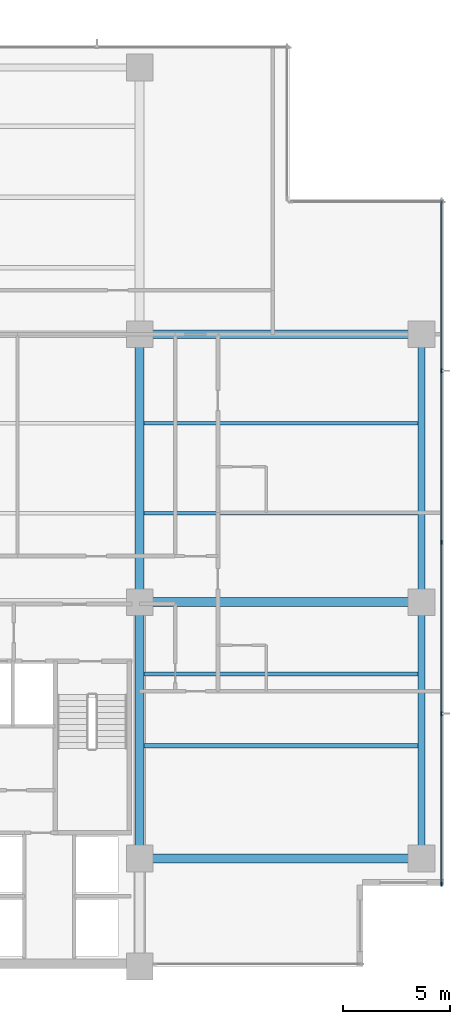
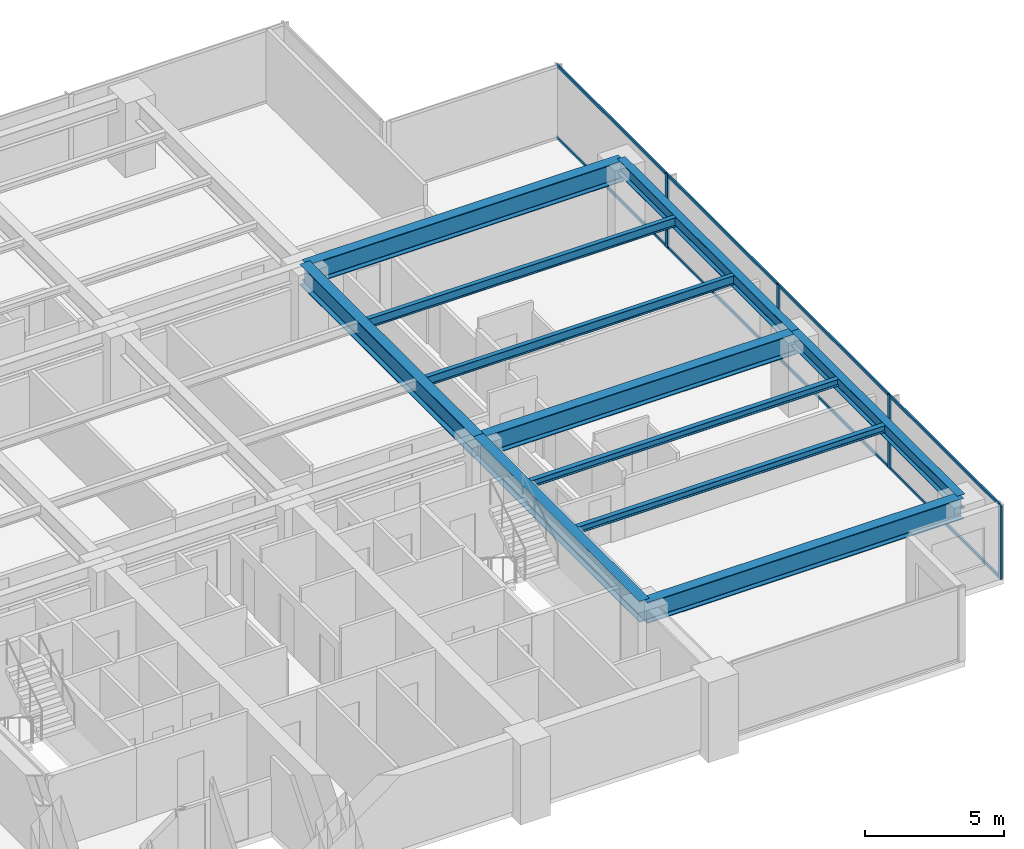
# One storey, part 4 of 16: 12 members, 11 beams, 1 element without a shape of its own.
"""IFC4 building model written with IfcOpenShell, lengths in metres."""

from ifc_helpers import new_model, si_unit, direction, frame, origin, origin_2d, place, context, subcontext, project, spatial, rectangle, i_section, extrude, material, layer, layer_set, material_profile, profile_set, type_object, element, aggregate, save


model = new_model("IFC4")

# Units and contexts
model_context = context("Model", 3, precision=1e-05, world=origin(), true_north=direction((0.0, 1.0)))
body_context = subcontext(model_context, "Body", "Model", "MODEL_VIEW")
ifc_project = project(units=[si_unit("LENGTHUNIT", "METRE"), si_unit("AREAUNIT", "SQUARE_METRE"), si_unit("VOLUMEUNIT", "CUBIC_METRE"), si_unit("PLANEANGLEUNIT", "RADIAN"), si_unit("MASSUNIT", "GRAM", prefix="KILO")], contexts=[model_context])

# Site, building, storey
site_placement = place(None, origin())
site = spatial("IfcSite", under=ifc_project, at=site_placement, CompositionType="ELEMENT")
building_placement = place(site_placement, origin())
building = spatial("IfcBuilding", under=site, at=building_placement, Name="Qalmaran Belvedere Hotel", CompositionType="ELEMENT")
storey_placement = place(building_placement, frame((0.0, 0.0, 123.199951171875)))
storey = spatial("IfcBuildingStorey", under=building, at=storey_placement, Name="L31", CompositionType="ELEMENT", Elevation=123.199951171875)

# Beams
ifc_material_1 = material(Name="Steel S355JR", Category="steel")
ifc_material_profile_1 = material_profile(ifc_material_1, i_section(OverallWidth=0.202880859375, OverallDepth=0.302978515625, WebThickness=0.007568359375, FlangeThickness=0.01318359375, FilletRadius=0.012939453125, at=origin_2d()), Name="W310X60")
ifc_profile_set_1 = profile_set([ifc_material_profile_1], Name="Steel S355JR")
beam_type_1 = type_object("IfcBeamType", Name="BM-JST-W310X60", PredefinedType="JOIST", material=ifc_profile_set_1)
for number, where, z_axis, x_axis, name in (
    (1, (45.007080078125, 13.800048828125, 3.088623046875), (1.0, 0.0, 0.0), (0.0, 1.0, 0.0), "L31 East Wing Joist 039"),
    (2, (45.007080078125, 17.14990234375, 3.088623046875), (1.0, 0.0, 0.0), (0.0, 1.0, 0.0), "L31 East Wing Joist 041"),
):
    element("IfcBeam", number, at=place(storey_placement, frame(where, z_axis=z_axis, x_axis=x_axis)), inside=storey, type_object=beam_type_1, Name=name, PredefinedType="JOIST", context=body_context, shape_type="SweptSolid", body=[
        extrude(i_section(OverallWidth=0.202880859375, OverallDepth=0.302978515625, WebThickness=0.007568359375, FlangeThickness=0.01318359375, FilletRadius=0.012939453125, at=origin_2d()), origin(), (0.0, 0.0, 1.0), 12.781494140625),
    ])
ifc_material_profile_2 = material_profile(ifc_material_1, i_section(OverallWidth=0.41796875, OverallDepth=0.912109375, WebThickness=0.019287109375, FlangeThickness=0.031982421875, FilletRadius=0.02392578125, at=origin_2d()), Name="W920X342")
ifc_profile_set_2 = profile_set([ifc_material_profile_2], Name="Steel S355JR")
beam_type_2 = type_object("IfcBeamType", Name="BM-PG2-W920X342", PredefinedType="USERDEFINED", material=ifc_profile_set_2)
beam_1_placement = place(storey_placement, frame((44.800048828125, 20.5, 2.783935546875), z_axis=(0.0, 1.0, 0.0), x_axis=(-1.0, 0.0, 0.0)))
element("IfcBeam", 3, at=beam_1_placement, inside=storey, type_object=beam_type_2, Name="L31 Mid-Plate N-S Girder 20", ObjectType="GIRDER", PredefinedType="USERDEFINED", context=body_context, shape_type="SweptSolid", body=[
    extrude(i_section(OverallWidth=0.41796875, OverallDepth=0.912109375, WebThickness=0.019287109375, FlangeThickness=0.031982421875, FilletRadius=0.02392578125, at=origin_2d()), origin(), (0.0, 0.0, 1.0), 12.5),
])
beam_2_placement = place(storey_placement, frame((44.800048828125, 8.550048828125, 2.783935546875), z_axis=(0.0, 1.0, 0.0), x_axis=(-1.0, 0.0, 0.0)))
element("IfcBeam", 4, at=beam_2_placement, inside=storey, type_object=beam_type_2, Name="L31 East Core Edge Girder B", ObjectType="GIRDER", PredefinedType="USERDEFINED", context=body_context, shape_type="SweptSolid", body=[
    extrude(i_section(OverallWidth=0.41796875, OverallDepth=0.912109375, WebThickness=0.019287109375, FlangeThickness=0.031982421875, FilletRadius=0.02392578125, at=origin_2d()), origin(), (0.0, 0.0, 1.0), 11.949951171875),
])
for number, where, z_axis, x_axis, name in (
    (5, (44.800048828125, 8.550048828125, 2.783935546875), (1.0, 0.0, 0.0), (0.0, 1.0, 0.0), "L31 East Wing Girder 25"),
    (6, (44.800048828125, 20.5, 2.783935546875), (1.0, 0.0, 0.0), (0.0, 1.0, 0.0), "L31 East Wing Girder 26"),
    (7, (44.800048828125, 33.0, 2.783935546875), (1.0, 0.0, 0.0), (0.0, 1.0, 0.0), "L31 East Wing Girder 27"),
):
    element("IfcBeam", number, at=place(storey_placement, frame(where, z_axis=z_axis, x_axis=x_axis)), inside=storey, type_object=beam_type_2, Name=name, ObjectType="GIRDER", PredefinedType="USERDEFINED", context=body_context, shape_type="SweptSolid", body=[
        extrude(i_section(OverallWidth=0.41796875, OverallDepth=0.912109375, WebThickness=0.019287109375, FlangeThickness=0.031982421875, FilletRadius=0.02392578125, at=origin_2d()), origin(), (0.0, 0.0, 1.0), 13.14990234375),
    ])
ifc_material_profile_3 = material_profile(ifc_material_1, i_section(OverallWidth=0.177978515625, OverallDepth=0.406982421875, WebThickness=0.0078125, FlangeThickness=0.0126953125, FilletRadius=0.014892578125, at=origin_2d()), Name="W410X60")
ifc_profile_set_3 = profile_set([ifc_material_profile_3], Name="Steel S355JR")
beam_type_3 = type_object("IfcBeamType", Name="BM-SB2-W410X60", PredefinedType="BEAM", material=ifc_profile_set_3)
for number, where, z_axis, x_axis, name in (
    (8, (45.007080078125, 24.64990234375, 3.03662109375), (1.0, 0.0, 0.0), (0.0, 1.0, 0.0), "L31 East Secondary Beam 032"),
    (9, (45.007080078125, 28.85009765625, 3.03662109375), (1.0, 0.0, 0.0), (0.0, 1.0, 0.0), "L31 East Secondary Beam 037"),
):
    element("IfcBeam", number, at=place(storey_placement, frame(where, z_axis=z_axis, x_axis=x_axis)), inside=storey, type_object=beam_type_3, Name=name, PredefinedType="BEAM", context=body_context, shape_type="SweptSolid", body=[
        extrude(i_section(OverallWidth=0.177978515625, OverallDepth=0.406982421875, WebThickness=0.0078125, FlangeThickness=0.0126953125, FilletRadius=0.014892578125, at=origin_2d()), origin(), (0.0, 0.0, 1.0), 12.781494140625),
    ])
ifc_material_profile_4 = material_profile(ifc_material_1, i_section(OverallWidth=0.326904296875, OverallDepth=0.6220703125, WebThickness=0.015380859375, FlangeThickness=0.0244140625, FilletRadius=0.02001953125, at=origin_2d()), Name="W610X195")
ifc_profile_set_4 = profile_set([ifc_material_profile_4], Name="Steel S355JR")
beam_type_4 = type_object("IfcBeamType", Name="BM-SP1-W610X195", PredefinedType="SPANDREL", material=ifc_profile_set_4)
beam_3_placement = place(storey_placement, frame((57.949951171875, 8.550048828125, 2.928955078125), z_axis=(0.0, 1.0, 0.0), x_axis=(-1.0, 0.0, 0.0)))
element("IfcBeam", 10, at=beam_3_placement, inside=storey, type_object=beam_type_4, Name="L31 Perimeter Spandrel 03", PredefinedType="SPANDREL", context=body_context, shape_type="SweptSolid", body=[
    extrude(i_section(OverallWidth=0.326904296875, OverallDepth=0.6220703125, WebThickness=0.015380859375, FlangeThickness=0.0244140625, FilletRadius=0.02001953125, at=origin_2d()), origin(), (0.0, 0.0, 1.0), 11.949951171875),
])
beam_4_placement = place(storey_placement, frame((57.949951171875, 20.5, 2.928955078125), z_axis=(0.0, 1.0, 0.0), x_axis=(-1.0, 0.0, 0.0)))
element("IfcBeam", 11, at=beam_4_placement, inside=storey, type_object=beam_type_4, Name="L31 Perimeter Spandrel 04", PredefinedType="SPANDREL", context=body_context, shape_type="SweptSolid", body=[
    extrude(i_section(OverallWidth=0.326904296875, OverallDepth=0.6220703125, WebThickness=0.015380859375, FlangeThickness=0.0244140625, FilletRadius=0.02001953125, at=origin_2d()), origin(), (0.0, 0.0, 1.0), 12.5),
])

# Curtain wall, members
ifc_material_2 = material(Name="Anodised Bronze Aluminium", Category="aluminium")
ifc_layer = layer(ifc_material_2, 0.199951171875, Name="Anodised Bronze Aluminium")
ifc_layer_set = layer_set([ifc_layer], Name="Anodised Bronze Aluminium")
curtain_wall_type = type_object("IfcCurtainWallType", Name="CW3-TOWER-LOWMID", PredefinedType="NOTDEFINED", material=ifc_layer_set)
curtain_wall_placement = place(storey_placement, origin())
curtain_wall = element("IfcCurtainWall", 12, at=curtain_wall_placement, inside=storey, type_object=curtain_wall_type, Name="L31 Curtain Wall CW3", PredefinedType="NOTDEFINED")
ifc_material_profile_5 = material_profile(ifc_material_2, rectangle(XDim=0.070068359375, YDim=0.18994140625, at=origin_2d()), Name="CWM70X190")
ifc_profile_set_5 = profile_set([ifc_material_profile_5], Name="Anodised Bronze Aluminium")
member_type_1 = type_object("IfcMemberType", Name="CWM-70X190", PredefinedType="MULLION", material=ifc_profile_set_5)
member_1_placement = place(storey_placement, frame((58.8798828125, 7.3349609375, 0.0), z_axis=(0.0, 0.0, 1.0), x_axis=(-1.0, 0.0, 0.0)))
member_1 = element("IfcMember", 13, at=member_1_placement, type_object=member_type_1, Name="CW3 mullion 1", PredefinedType="MULLION", context=body_context, shape_type="SweptSolid", body=[
    extrude(rectangle(XDim=0.070068359375, YDim=0.18994140625, at=origin_2d()), origin(), (0.0, 0.0, 1.0), 3.239990234375),
])
member_2_placement = place(storey_placement, frame((58.8798828125, 15.300048828125, 0.0), z_axis=(0.0, 0.0, 1.0), x_axis=(-1.0, 0.0, 0.0)))
member_2 = element("IfcMember", 14, at=member_2_placement, type_object=member_type_1, Name="CW3 mullion 2", PredefinedType="MULLION", context=body_context, shape_type="SweptSolid", body=[
    extrude(rectangle(XDim=0.070068359375, YDim=0.18994140625, at=origin_2d()), origin(), (0.0, 0.0, 1.0), 3.239990234375),
])
member_3_placement = place(storey_placement, frame((58.8798828125, 23.300048828125, 0.0), z_axis=(0.0, 0.0, 1.0), x_axis=(-1.0, 0.0, 0.0)))
member_3 = element("IfcMember", 15, at=member_3_placement, type_object=member_type_1, Name="CW3 mullion 3", PredefinedType="MULLION", context=body_context, shape_type="SweptSolid", body=[
    extrude(rectangle(XDim=0.070068359375, YDim=0.18994140625, at=origin_2d()), origin(), (0.0, 0.0, 1.0), 3.239990234375),
])
member_4_placement = place(storey_placement, frame((58.8798828125, 31.300048828125, 0.0), z_axis=(0.0, 0.0, 1.0), x_axis=(-1.0, 0.0, 0.0)))
member_4 = element("IfcMember", 16, at=member_4_placement, type_object=member_type_1, Name="CW3 mullion 4", PredefinedType="MULLION", context=body_context, shape_type="SweptSolid", body=[
    extrude(rectangle(XDim=0.070068359375, YDim=0.18994140625, at=origin_2d()), origin(), (0.0, 0.0, 1.0), 3.239990234375),
])
ifc_material_profile_6 = material_profile(ifc_material_2, rectangle(XDim=0.06494140625, YDim=0.1298828125, at=origin_2d()), Name="CWT65X130")
ifc_profile_set_6 = profile_set([ifc_material_profile_6], Name="Anodised Bronze Aluminium")
member_type_2 = type_object("IfcMemberType", Name="CWT-65X130", PredefinedType="USERDEFINED", material=ifc_profile_set_6)
member_5_placement = place(storey_placement, frame((58.8798828125, 7.3701171875, 0.032470703125), z_axis=(0.0, 1.0, 0.0), x_axis=(-1.0, 0.0, 0.0)))
member_5 = element("IfcMember", 17, at=member_5_placement, type_object=member_type_2, Name="CW3 transom 1.1", ObjectType="TRANSOM", PredefinedType="USERDEFINED", context=body_context, shape_type="SweptSolid", body=[
    extrude(rectangle(XDim=0.06494140625, YDim=0.1298828125, at=origin_2d()), origin(), (0.0, 0.0, 1.0), 7.894775390625),
])
member_6_placement = place(storey_placement, frame((58.8798828125, 7.3701171875, 3.20751953125), z_axis=(0.0, 1.0, 0.0), x_axis=(-1.0, 0.0, 0.0)))
member_6 = element("IfcMember", 18, at=member_6_placement, type_object=member_type_2, Name="CW3 transom 1.2", ObjectType="TRANSOM", PredefinedType="USERDEFINED", context=body_context, shape_type="SweptSolid", body=[
    extrude(rectangle(XDim=0.06494140625, YDim=0.1298828125, at=origin_2d()), origin(), (0.0, 0.0, 1.0), 7.894775390625),
])
member_7_placement = place(storey_placement, frame((58.8798828125, 15.3349609375, 0.032470703125), z_axis=(0.0, 1.0, 0.0), x_axis=(-1.0, 0.0, 0.0)))
member_7 = element("IfcMember", 19, at=member_7_placement, type_object=member_type_2, Name="CW3 transom 2.1", ObjectType="TRANSOM", PredefinedType="USERDEFINED", context=body_context, shape_type="SweptSolid", body=[
    extrude(rectangle(XDim=0.06494140625, YDim=0.1298828125, at=origin_2d()), origin(), (0.0, 0.0, 1.0), 7.929931640625),
])
member_8_placement = place(storey_placement, frame((58.8798828125, 15.3349609375, 3.20751953125), z_axis=(0.0, 1.0, 0.0), x_axis=(-1.0, 0.0, 0.0)))
member_8 = element("IfcMember", 20, at=member_8_placement, type_object=member_type_2, Name="CW3 transom 2.2", ObjectType="TRANSOM", PredefinedType="USERDEFINED", context=body_context, shape_type="SweptSolid", body=[
    extrude(rectangle(XDim=0.06494140625, YDim=0.1298828125, at=origin_2d()), origin(), (0.0, 0.0, 1.0), 7.929931640625),
])
member_9_placement = place(storey_placement, frame((58.8798828125, 23.3349609375, 0.032470703125), z_axis=(0.0, 1.0, 0.0), x_axis=(-1.0, 0.0, 0.0)))
member_9 = element("IfcMember", 21, at=member_9_placement, type_object=member_type_2, Name="CW3 transom 3.1", ObjectType="TRANSOM", PredefinedType="USERDEFINED", context=body_context, shape_type="SweptSolid", body=[
    extrude(rectangle(XDim=0.06494140625, YDim=0.1298828125, at=origin_2d()), origin(), (0.0, 0.0, 1.0), 7.929931640625),
])
member_10_placement = place(storey_placement, frame((58.8798828125, 23.3349609375, 3.20751953125), z_axis=(0.0, 1.0, 0.0), x_axis=(-1.0, 0.0, 0.0)))
member_10 = element("IfcMember", 22, at=member_10_placement, type_object=member_type_2, Name="CW3 transom 3.2", ObjectType="TRANSOM", PredefinedType="USERDEFINED", context=body_context, shape_type="SweptSolid", body=[
    extrude(rectangle(XDim=0.06494140625, YDim=0.1298828125, at=origin_2d()), origin(), (0.0, 0.0, 1.0), 7.929931640625),
])
member_11_placement = place(storey_placement, frame((58.8798828125, 31.3349609375, 0.032470703125), z_axis=(0.0, 1.0, 0.0), x_axis=(-1.0, 0.0, 0.0)))
member_11 = element("IfcMember", 23, at=member_11_placement, type_object=member_type_2, Name="CW3 transom 4.1", ObjectType="TRANSOM", PredefinedType="USERDEFINED", context=body_context, shape_type="SweptSolid", body=[
    extrude(rectangle(XDim=0.06494140625, YDim=0.1298828125, at=origin_2d()), origin(), (0.0, 0.0, 1.0), 7.89501953125),
])
member_12_placement = place(storey_placement, frame((58.8798828125, 31.3349609375, 3.20751953125), z_axis=(0.0, 1.0, 0.0), x_axis=(-1.0, 0.0, 0.0)))
member_12 = element("IfcMember", 24, at=member_12_placement, type_object=member_type_2, Name="CW3 transom 4.2", ObjectType="TRANSOM", PredefinedType="USERDEFINED", context=body_context, shape_type="SweptSolid", body=[
    extrude(rectangle(XDim=0.06494140625, YDim=0.1298828125, at=origin_2d()), origin(), (0.0, 0.0, 1.0), 7.89501953125),
])
aggregate(curtain_wall, [member_1, member_2, member_3, member_4, member_5, member_6, member_7, member_8, member_9, member_10, member_11, member_12])

save(model, "model.ifc")
